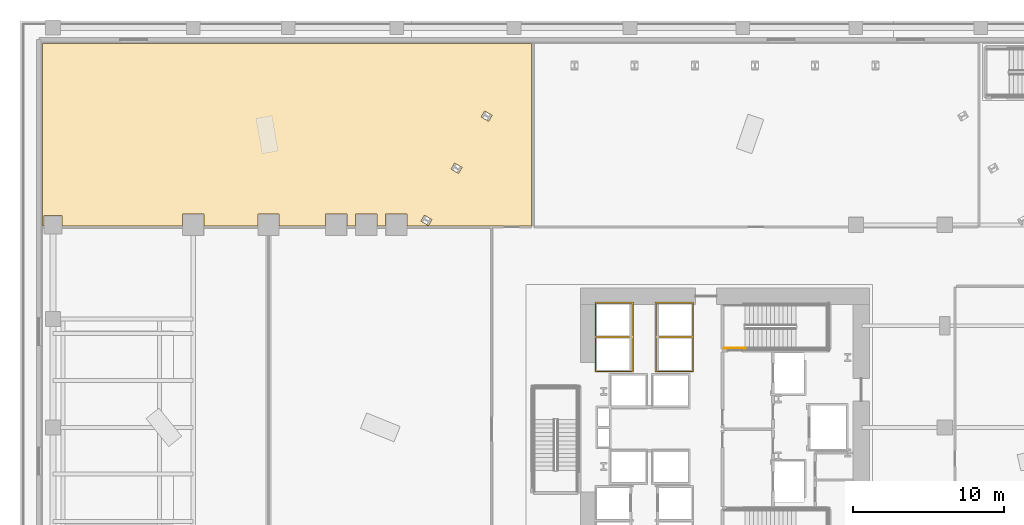
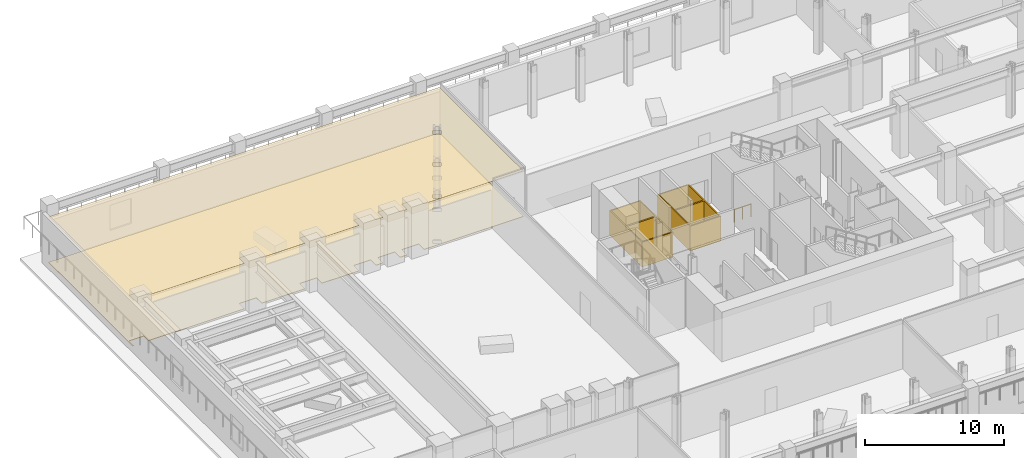
# One storey, part 14 of 18: 4 coverings, 1 railing.
"""IFC4 building model written with IfcOpenShell, lengths in metres."""

from ifc_helpers import new_model, si_unit, direction, frame, origin, origin_2d, place, context, subcontext, project, spatial, polyline, circle, outline, extrude, material, layer, layer_set, type_object, element, save


model = new_model("IFC4")

# Units and contexts
model_context = context("Model", 3, precision=1e-05, world=origin(), true_north=direction((0.0, 1.0)))
body_context = subcontext(model_context, "Body", "Model", "MODEL_VIEW")
ifc_project = project(units=[si_unit("LENGTHUNIT", "METRE"), si_unit("AREAUNIT", "SQUARE_METRE"), si_unit("VOLUMEUNIT", "CUBIC_METRE"), si_unit("PLANEANGLEUNIT", "RADIAN"), si_unit("MASSUNIT", "GRAM", prefix="KILO")], contexts=[model_context])

# Site, building, storey
site_placement = place(None, origin())
site = spatial("IfcSite", under=ifc_project, at=site_placement, CompositionType="ELEMENT")
building_placement = place(site_placement, origin())
building = spatial("IfcBuilding", under=site, at=building_placement, Name="Valkerne Bourse Tower", CompositionType="ELEMENT")
storey_placement = place(building_placement, frame((0.0, 0.0, 14.800048828125)))
storey = spatial("IfcBuildingStorey", under=building, at=storey_placement, Name="L03", CompositionType="ELEMENT", Elevation=14.800048828125)

# Coverings
ifc_material_1 = material(Name="Mineral Fiber Acoustic Ceiling Tile", Category="acoustic")
ifc_layer_1 = layer(ifc_material_1, 0.02490234375)
ifc_layer_set_1 = layer_set([ifc_layer_1], Name="Mineral Fiber Acoustic Ceiling Tile")
covering_type_1 = type_object("IfcCoveringType", Name="COV-CEIL-ACT", PredefinedType="CEILING", material=ifc_layer_set_1)
covering_1_placement = place(storey_placement, frame((0.0, 0.0, 4.010009765625)))
element("IfcCovering", 1, at=covering_1_placement, inside=storey, type_object=covering_type_1, Name="L03 Suspended Ceiling 11", PredefinedType="CEILING", context=body_context, shape_type="SweptSolid", body=[
    extrude(outline(polyline([(1.50390625, 52.49609375), (33.946044921875, 52.49609375), (33.946044921875, 40.384033203125), (25.69189453125, 40.384033203125), (25.69189453125, 41.154052734375), (24.283935546875, 41.154052734375), (24.283935546875, 40.384033203125), (23.695068359375, 40.384033203125), (23.695068359375, 41.154052734375), (22.287109375, 41.154052734375), (22.287109375, 40.384033203125), (21.696044921875, 40.384033203125), (21.696044921875, 41.154052734375), (20.2880859375, 41.154052734375), (20.2880859375, 40.384033203125), (17.2041015625, 40.384033203125), (17.2041015625, 41.154052734375), (15.7958984375, 41.154052734375), (15.7958984375, 40.384033203125), (12.2041015625, 40.384033203125), (12.2041015625, 41.154052734375), (10.7958984375, 41.154052734375), (10.7958984375, 40.384033203125), (2.803955078125, 40.384033203125), (2.803955078125, 41.053955078125), (1.595947265625, 41.053955078125), (1.595947265625, 40.384033203125), (1.50390625, 40.384033203125), (1.50390625, 52.49609375)]), holes=[polyline([(26.62109375, 40.690185546875), (27.12060546875, 40.40185546875), (27.35205078125, 40.802490234375), (26.852294921875, 41.091064453125), (26.62109375, 40.690185546875)]), polyline([(28.850341796875, 44.5517578125), (28.618896484375, 44.15087890625), (29.11865234375, 43.862548828125), (29.35009765625, 44.26318359375), (28.850341796875, 44.5517578125)]), polyline([(30.616943359375, 47.611572265625), (31.11669921875, 47.322998046875), (31.347900390625, 47.723876953125), (30.848388671875, 48.01220703125), (30.616943359375, 47.611572265625)])]), origin(), (0.0, 0.0, 1.0), 0.02490234375),
])
ifc_material_2 = material(Name="Galvanised Painted Steel", Category="steel")
ifc_layer_2 = layer(ifc_material_2, 0.044921875)
ifc_layer_set_2 = layer_set([ifc_layer_2], Name="Galvanised Painted Steel")
covering_type_2 = type_object("IfcCoveringType", Name="COV-FLR-RAF", PredefinedType="FLOORING", material=ifc_layer_set_2)
covering_2_placement = place(storey_placement, origin())
element("IfcCovering", 2, at=covering_2_placement, inside=storey, type_object=covering_type_2, Name="L03 Floor Finish 11", PredefinedType="FLOORING", context=body_context, shape_type="SweptSolid", body=[
    extrude(outline(polyline([(1.50390625, 52.49609375), (33.946044921875, 52.49609375), (33.946044921875, 40.384033203125), (25.69189453125, 40.384033203125), (25.69189453125, 41.154052734375), (24.283935546875, 41.154052734375), (24.283935546875, 40.384033203125), (23.695068359375, 40.384033203125), (23.695068359375, 41.154052734375), (22.287109375, 41.154052734375), (22.287109375, 40.384033203125), (21.696044921875, 40.384033203125), (21.696044921875, 41.154052734375), (20.2880859375, 41.154052734375), (20.2880859375, 40.384033203125), (17.2041015625, 40.384033203125), (17.2041015625, 41.154052734375), (15.7958984375, 41.154052734375), (15.7958984375, 40.384033203125), (12.2041015625, 40.384033203125), (12.2041015625, 41.154052734375), (10.7958984375, 41.154052734375), (10.7958984375, 40.384033203125), (2.803955078125, 40.384033203125), (2.803955078125, 41.053955078125), (1.595947265625, 41.053955078125), (1.595947265625, 40.384033203125), (1.50390625, 40.384033203125), (1.50390625, 52.49609375)]), holes=[polyline([(26.62109375, 40.690185546875), (27.12060546875, 40.40185546875), (27.35205078125, 40.802490234375), (26.852294921875, 41.091064453125), (26.62109375, 40.690185546875)]), polyline([(28.850341796875, 44.5517578125), (28.618896484375, 44.15087890625), (29.11865234375, 43.862548828125), (29.35009765625, 44.26318359375), (28.850341796875, 44.5517578125)]), polyline([(30.616943359375, 47.611572265625), (31.11669921875, 47.322998046875), (31.347900390625, 47.723876953125), (30.848388671875, 48.01220703125), (30.616943359375, 47.611572265625)])]), origin(), (0.0, 0.0, 1.0), 0.044921875),
])
ifc_material_3 = material(Name="Gypsum Shaftwall Liner Board", Category="gypsum")
ifc_layer_3 = layer(ifc_material_3, 0.080078125)
ifc_layer_set_3 = layer_set([ifc_layer_3], Name="Gypsum Shaftwall Liner Board")
covering_type_3 = type_object("IfcCoveringType", Name="COV-SHF-CLAD", PredefinedType="CLADDING", material=ifc_layer_set_3)
covering_3_placement = place(storey_placement, origin())
element("IfcCovering", 3, at=covering_3_placement, inside=storey, type_object=covering_type_3, Name="L03 Hoistway & Riser Shaftwall Liner 05", PredefinedType="CLADDING", context=body_context, shape_type="SweptSolid", body=[
    extrude(outline(polyline([(38.169921875, 35.330078125), (40.72998046875, 35.330078125), (40.72998046875, 33.030029296875), (40.72998046875, 32.969970703125), (40.72998046875, 30.669921875), (38.169921875, 30.669921875), (38.169921875, 32.969970703125), (38.169921875, 33.030029296875), (38.169921875, 35.330078125)]), holes=[polyline([(38.260009765625, 32.93994140625), (38.260009765625, 30.760009765625), (40.639892578125, 30.760009765625), (40.639892578125, 32.93994140625), (38.260009765625, 32.93994140625)]), polyline([(38.260009765625, 35.239990234375), (38.260009765625, 33.06005859375), (40.639892578125, 33.06005859375), (40.639892578125, 35.239990234375), (38.260009765625, 35.239990234375)])]), origin(), (0.0, 0.0, 1.0), 2.179931640625),
])
covering_4_placement = place(storey_placement, origin())
element("IfcCovering", 4, at=covering_4_placement, inside=storey, type_object=covering_type_3, Name="L03 Hoistway & Riser Shaftwall Liner 11", PredefinedType="CLADDING", context=body_context, shape_type="SweptSolid", body=[
    extrude(outline(polyline([(44.72998046875, 35.330078125), (44.72998046875, 33.030029296875), (44.72998046875, 32.969970703125), (44.72998046875, 30.669921875), (42.169921875, 30.669921875), (42.169921875, 32.969970703125), (42.169921875, 33.030029296875), (42.169921875, 35.330078125), (44.72998046875, 35.330078125)]), holes=[polyline([(42.260009765625, 30.760009765625), (44.639892578125, 30.760009765625), (44.639892578125, 32.93994140625), (42.260009765625, 32.93994140625), (42.260009765625, 30.760009765625)]), polyline([(42.260009765625, 33.06005859375), (44.639892578125, 33.06005859375), (44.639892578125, 35.239990234375), (42.260009765625, 35.239990234375), (42.260009765625, 33.06005859375)])]), origin(), (0.0, 0.0, 1.0), 2.179931640625),
])

# Railing
railing_type = type_object("IfcRailingType", Name="RLG-ST-GUARD-1120", PredefinedType="GUARDRAIL", material=ifc_material_2)
railing_placement = place(storey_placement, frame((46.75, 32.25, 0.0)))
element("IfcRailing", 5, at=railing_placement, inside=storey, type_object=railing_type, Name="L03 ST-2 stair guard 8", PredefinedType="GUARDRAIL", context=body_context, shape_type="SweptSolid", body=[
    extrude(circle(Radius=0.02392578125, at=origin_2d()), frame((0.0, 0.0, 1.09619140625), z_axis=(1.0, 0.0, 0.0), x_axis=(0.0, 1.0, 0.0)), (0.0, 0.0, 1.0), 1.39990234375),
    extrude(circle(Radius=0.02099609375, at=origin_2d()), origin(), (0.0, 0.0, 1.0), 1.072021484375),
    extrude(circle(Radius=0.02099609375, at=origin_2d()), frame((0.699951171875, 0.0, 0.0)), (0.0, 0.0, 1.0), 1.072021484375),
    extrude(circle(Radius=0.02099609375, at=origin_2d()), frame((1.39990234375, 0.0, 0.0)), (0.0, 0.0, 1.0), 1.072021484375),
])

save(model, "model.ifc")
